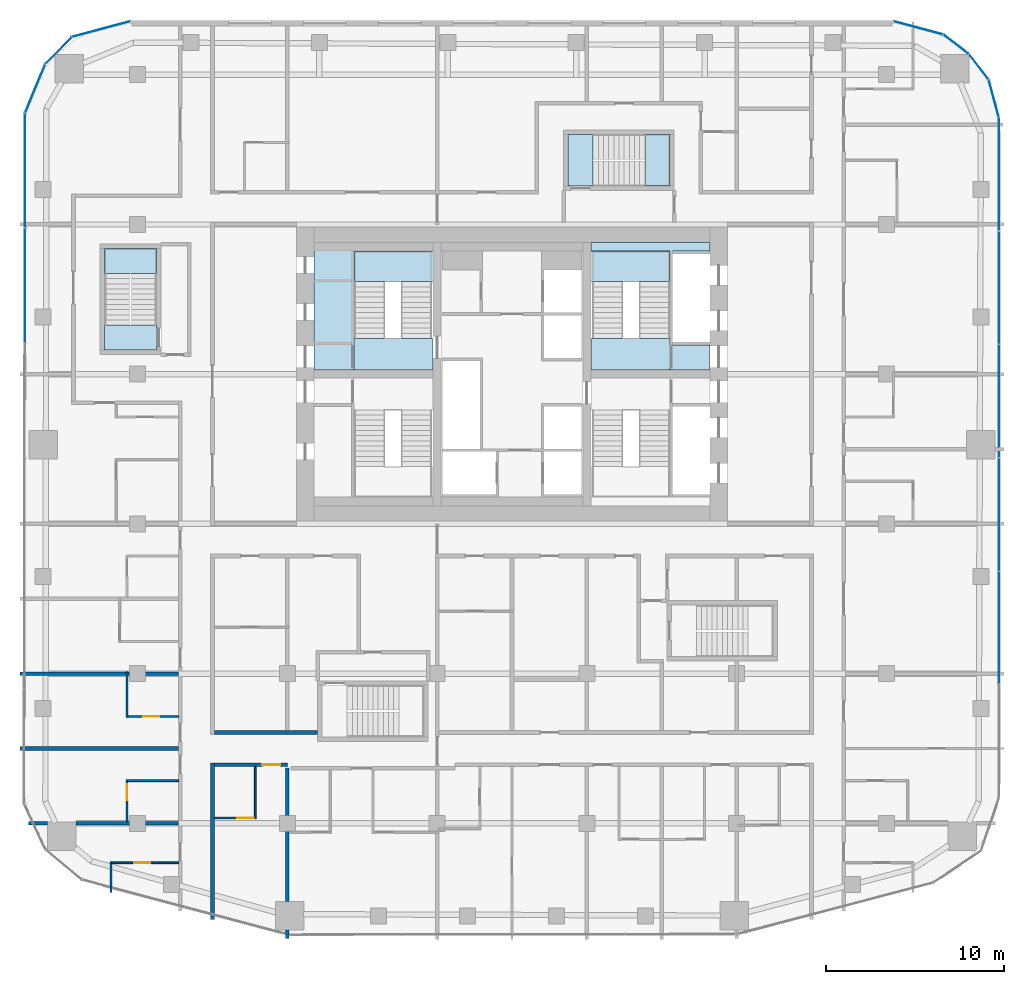
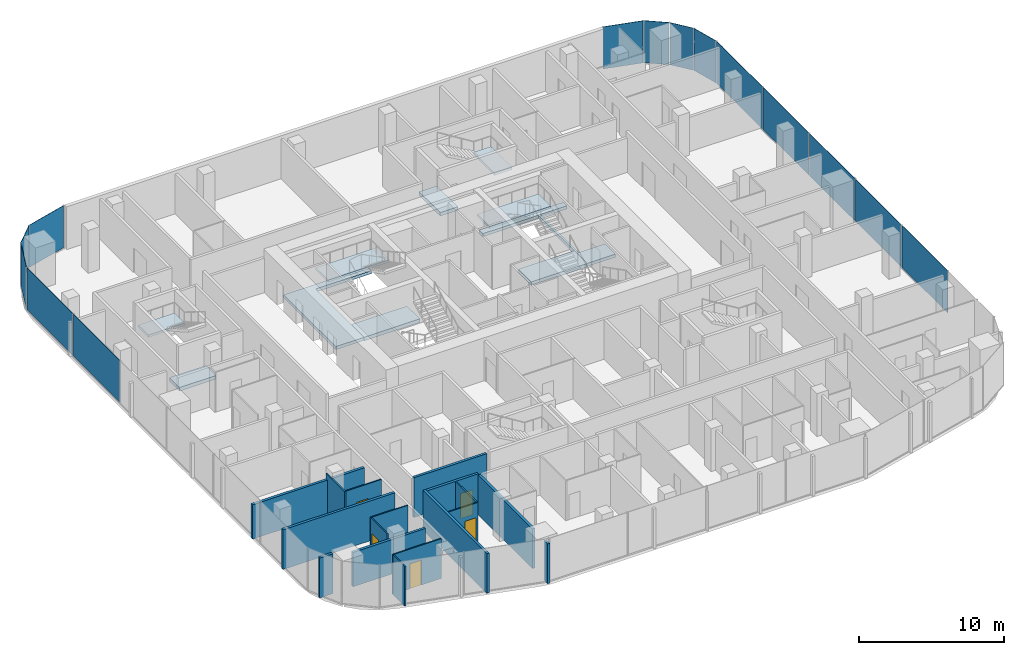
# One storey, part 13 of 23: 17 walls, 14 plates, 10 slabs, 5 doors, 5 openings, 13 elements without a shape of their own.
"""IFC4 building model written with IfcOpenShell, lengths in metres."""

from ifc_helpers import new_model, si_unit, direction, frame, frame_2d, origin, origin_2d, place, context, subcontext, project, spatial, polyline, rectangle, outline, extrude, material, layer, layer_set, type_object, element, fill, aggregate, save


model = new_model("IFC4")

# Units and contexts
model_context = context("Model", 3, precision=1e-05, world=origin(), true_north=direction((0.0, 1.0)))
body_context = subcontext(model_context, "Body", "Model", "MODEL_VIEW")
ifc_project = project(units=[si_unit("LENGTHUNIT", "METRE"), si_unit("AREAUNIT", "SQUARE_METRE"), si_unit("VOLUMEUNIT", "CUBIC_METRE"), si_unit("PLANEANGLEUNIT", "RADIAN"), si_unit("MASSUNIT", "GRAM", prefix="KILO")], contexts=[model_context])

# Site, building, storey
site_placement = place(None, origin())
site = spatial("IfcSite", under=ifc_project, at=site_placement, CompositionType="ELEMENT")
building_placement = place(site_placement, origin())
building = spatial("IfcBuilding", under=site, at=building_placement, Name="Marenta Gate Hotel Tower", CompositionType="ELEMENT")
storey_placement = place(building_placement, frame((0.0, 0.0, 148.10009765625)))
storey = spatial("IfcBuildingStorey", under=building, at=storey_placement, Name="L34", CompositionType="ELEMENT", Elevation=148.10009765625)

# Slabs
ifc_material_1 = material(Name="Concrete C40", Category="concrete")
ifc_layer_1 = layer(ifc_material_1, 0.260009765625)
ifc_layer_set_1 = layer_set([ifc_layer_1], Name="Concrete C40")
slab_type_1 = type_object("IfcSlabType", Name="Core floor slab 260", PredefinedType="FLOOR", material=ifc_layer_set_1)
slab_1_placement = place(storey_placement, frame((0.0, 0.0, -0.260009765625)))
element("IfcSlab", 1, at=slab_1_placement, inside=storey, type_object=slab_type_1, Name="L34-CF-3", PredefinedType="FLOOR", context=body_context, shape_type="SweptSolid", body=[
    extrude(outline(polyline([(8.85009765625, 15.300048828125), (4.425048828125, 15.300048828125), (4.425048828125, 15.800048828125), (11.10009765625, 15.800048828125), (11.10009765625, 15.300048828125), (9.0, 15.300048828125), (9.0, 15.14990234375), (9.0, 12.75), (9.0, 12.60009765625), (9.0, 10.199951171875), (9.0, 10.050048828125), (11.10009765625, 10.050048828125), (11.10009765625, 8.625), (8.85009765625, 8.625), (8.85009765625, 8.699951171875), (8.85009765625, 10.39990234375), (8.85009765625, 15.300048828125)])), origin(), (0.0, 0.0, 1.0), 0.260009765625),
])
slab_2_placement = place(storey_placement, frame((0.0, 0.0, -0.260009765625)))
element("IfcSlab", 2, at=slab_2_placement, inside=storey, type_object=slab_type_1, Name="L34-CF-6", PredefinedType="FLOOR", context=body_context, shape_type="SweptSolid", body=[
    extrude(outline(polyline([(-4.425048828125, 15.300048828125), (-8.85009765625, 15.300048828125), (-8.85009765625, 10.39990234375), (-8.85009765625, 8.699951171875), (-8.85009765625, 8.625), (-11.10009765625, 8.625), (-11.10009765625, 15.800048828125), (-4.425048828125, 15.800048828125), (-4.425048828125, 15.300048828125)])), origin(), (0.0, 0.0, 1.0), 0.260009765625),
])

# Stair, slab
ifc_material_2 = material(Name="Concrete C40", Category="concrete")
stair_type_1 = type_object("IfcStairType", Name="Core exit stair 1700 wide", PredefinedType="HALF_TURN_STAIR", material=ifc_material_2)
stair_1_placement = place(storey_placement, origin())
stair_1 = element("IfcStair", 3, at=stair_1_placement, inside=storey, type_object=stair_type_1, Name="Exit stair 2", PredefinedType="HALF_TURN_STAIR")
ifc_material_3 = material(Name="Concrete C40", Category="concrete")
ifc_layer_2 = layer(ifc_material_3, 0.199951171875)
ifc_layer_set_2 = layer_set([ifc_layer_2], Name="Concrete C40")
slab_type_2 = type_object("IfcSlabType", Name="Core stair landing 200", PredefinedType="LANDING", material=ifc_layer_set_2)
slab_3_placement = place(storey_placement, frame((0.0, 0.0, 1.599853515625)))
slab_3 = element("IfcSlab", 4, at=slab_3_placement, type_object=slab_type_2, Name="SL-200 ST2 landing 1", PredefinedType="LANDING", context=body_context, shape_type="SweptSolid", body=[
    extrude(outline(polyline([(-8.85009765625, 13.590087890625), (-3.97509765625, 13.590087890625), (-3.97509765625, 15.300048828125), (-8.85009765625, 15.300048828125), (-8.85009765625, 13.590087890625)])), origin(), (0.0, 0.0, 1.0), 0.199951171875),
])
aggregate(stair_1, [slab_3])

stair_2_placement = place(storey_placement, origin())
stair_2 = element("IfcStair", 5, at=stair_2_placement, inside=storey, type_object=stair_type_1, Name="Exit stair 4", PredefinedType="HALF_TURN_STAIR")
slab_4_placement = place(storey_placement, frame((0.0, 0.0, 1.599853515625)))
slab_4 = element("IfcSlab", 6, at=slab_4_placement, type_object=slab_type_2, Name="SL-200 ST4 landing 1", PredefinedType="LANDING", context=body_context, shape_type="SweptSolid", body=[
    extrude(outline(polyline([(3.97509765625, 13.590087890625), (8.85009765625, 13.590087890625), (8.85009765625, 15.300048828125), (3.97509765625, 15.300048828125), (3.97509765625, 13.590087890625)])), origin(), (0.0, 0.0, 1.0), 0.199951171875),
])
aggregate(stair_2, [slab_4])

# Curtain wall, plate
ifc_material_4 = material(Name="Tinted insulated glass in bronze anodised frame", Category="glass")
ifc_layer_3 = layer(ifc_material_4, 0.1201171875)
ifc_layer_set_3 = layer_set([ifc_layer_3], Name="Tinted insulated glass in bronze anodised frame")
curtain_wall_type = type_object("IfcCurtainWallType", Name="Tower unitised curtain wall CW1", PredefinedType="NOTDEFINED", material=ifc_layer_set_3)
curtain_wall_1_placement = place(storey_placement, origin())
curtain_wall_1 = element("IfcCurtainWall", 7, at=curtain_wall_1_placement, inside=storey, type_object=curtain_wall_type, Name="CW1 run G00", PredefinedType="NOTDEFINED")
ifc_material_5 = material(Name="Tinted insulated glass", Category="glass")
ifc_layer_4 = layer(ifc_material_5, 0.028076171875)
ifc_layer_set_4 = layer_set([ifc_layer_4], Name="Tinted insulated glass")
plate_type = type_object("IfcPlateType", Name="Glass panel CW1 28 mm tinted insulated unit", PredefinedType="CURTAIN_PANEL", material=ifc_layer_set_4)
plate_1_placement = place(storey_placement, frame((-23.04052734375, 27.759765625, 0.059814453125), z_axis=(0.0, 0.0, 1.0), x_axis=(-0.96593059835, -0.258801234873, 0.0)))
plate_1 = element("IfcPlate", 8, at=plate_1_placement, type_object=plate_type, Name="CW1 panel 1.1", PredefinedType="CURTAIN_PANEL", context=body_context, shape_type="SweptSolid", body=[
    extrude(rectangle(XDim=3.366943359375, YDim=0.028076171875, at=origin_2d()), origin(), (0.0, 0.0, 1.0), 3.5400390625),
])
aggregate(curtain_wall_1, [plate_1])

curtain_wall_2_placement = place(storey_placement, origin())
curtain_wall_2 = element("IfcCurtainWall", 9, at=curtain_wall_2_placement, inside=storey, type_object=curtain_wall_type, Name="CW1 run G01", PredefinedType="NOTDEFINED")
plate_2_placement = place(storey_placement, frame((-25.440673828125, 26.550048828125, 0.059814453125), z_axis=(0.0, 0.0, 1.0), x_axis=(-0.707106781187, -0.707106781187, 0.0)))
plate_2 = element("IfcPlate", 10, at=plate_2_placement, type_object=plate_type, Name="CW1 panel 1.1", PredefinedType="CURTAIN_PANEL", context=body_context, shape_type="SweptSolid", body=[
    extrude(rectangle(XDim=2.069091796875, YDim=0.028076171875, at=origin_2d()), origin(), (0.0, 0.0, 1.0), 3.5400390625),
])
aggregate(curtain_wall_2, [plate_2])

curtain_wall_3_placement = place(storey_placement, origin())
curtain_wall_3 = element("IfcCurtainWall", 11, at=curtain_wall_3_placement, inside=storey, type_object=curtain_wall_type, Name="CW1 run G02", PredefinedType="NOTDEFINED")
plate_3_placement = place(storey_placement, frame((-26.75390625, 24.41455078125, 0.059814453125), z_axis=(0.0, 0.0, 1.0), x_axis=(-0.382671975111, -0.923884278178, 0.0)))
plate_3 = element("IfcPlate", 12, at=plate_3_placement, type_object=plate_type, Name="CW1 panel 1.1", PredefinedType="CURTAIN_PANEL", context=body_context, shape_type="SweptSolid", body=[
    extrude(rectangle(XDim=2.919189453125, YDim=0.028076171875, at=origin_2d()), origin(), (0.0, 0.0, 1.0), 3.5400390625),
])
aggregate(curtain_wall_3, [plate_3])

# Curtain wall, plates
curtain_wall_4_placement = place(storey_placement, origin())
curtain_wall_4 = element("IfcCurtainWall", 13, at=curtain_wall_4_placement, inside=storey, type_object=curtain_wall_type, Name="CW1 run G03", PredefinedType="NOTDEFINED")
plate_4_placement = place(storey_placement, frame((-27.3173828125, 19.8212890625, 0.059814453125), z_axis=(0.0, 0.0, 1.0), x_axis=(-0.001566045546, -0.99999877375, 0.0)))
plate_4 = element("IfcPlate", 14, at=plate_4_placement, type_object=plate_type, Name="CW1 panel 1.1", PredefinedType="CURTAIN_PANEL", context=body_context, shape_type="SweptSolid", body=[
    extrude(rectangle(XDim=6.3701171875, YDim=0.028076171875, at=origin_2d()), origin(), (0.0, 0.0, 1.0), 3.5400390625),
])
plate_5_placement = place(storey_placement, frame((-27.327392578125, 13.376220703125, 0.059814453125), z_axis=(0.0, 0.0, 1.0), x_axis=(-0.001566045546, -0.99999877375, 0.0)))
plate_5 = element("IfcPlate", 15, at=plate_5_placement, type_object=plate_type, Name="CW1 panel 2.1", PredefinedType="CURTAIN_PANEL", context=body_context, shape_type="SweptSolid", body=[
    extrude(rectangle(XDim=6.39990234375, YDim=0.028076171875, at=origin_2d()), origin(), (0.0, 0.0, 1.0), 3.5400390625),
])
aggregate(curtain_wall_4, [plate_4, plate_5])

curtain_wall_5_placement = place(storey_placement, origin())
curtain_wall_5 = element("IfcCurtainWall", 16, at=curtain_wall_5_placement, inside=storey, type_object=curtain_wall_type, Name="CW1 run G11", PredefinedType="NOTDEFINED")
plate_6_placement = place(storey_placement, frame((27.31396484375, -5.828125, 0.059814453125), z_axis=(0.0, 0.0, 1.0), x_axis=(0.0, 1.0, 0.0)))
plate_6 = element("IfcPlate", 17, at=plate_6_placement, type_object=plate_type, Name="CW1 panel 2.1", PredefinedType="CURTAIN_PANEL", context=body_context, shape_type="SweptSolid", body=[
    extrude(rectangle(XDim=6.300048828125, YDim=0.028076171875, at=origin_2d()), origin(), (0.0, 0.0, 1.0), 3.5400390625),
])
plate_7_placement = place(storey_placement, frame((27.31396484375, 0.531982421875, 0.059814453125), z_axis=(0.0, 0.0, 1.0), x_axis=(0.0, 1.0, 0.0)))
plate_7 = element("IfcPlate", 18, at=plate_7_placement, type_object=plate_type, Name="CW1 panel 3.1", PredefinedType="CURTAIN_PANEL", context=body_context, shape_type="SweptSolid", body=[
    extrude(rectangle(XDim=6.300048828125, YDim=0.028076171875, at=origin_2d()), origin(), (0.0, 0.0, 1.0), 3.5400390625),
])
plate_8_placement = place(storey_placement, frame((27.31396484375, 6.891845703125, 0.059814453125), z_axis=(0.0, 0.0, 1.0), x_axis=(0.0, 1.0, 0.0)))
plate_8 = element("IfcPlate", 19, at=plate_8_placement, type_object=plate_type, Name="CW1 panel 4.1", PredefinedType="CURTAIN_PANEL", context=body_context, shape_type="SweptSolid", body=[
    extrude(rectangle(XDim=6.300048828125, YDim=0.028076171875, at=origin_2d()), origin(), (0.0, 0.0, 1.0), 3.5400390625),
])
plate_9_placement = place(storey_placement, frame((27.31396484375, 13.251953125, 0.059814453125), z_axis=(0.0, 0.0, 1.0), x_axis=(0.0, 1.0, 0.0)))
plate_9 = element("IfcPlate", 20, at=plate_9_placement, type_object=plate_type, Name="CW1 panel 5.1", PredefinedType="CURTAIN_PANEL", context=body_context, shape_type="SweptSolid", body=[
    extrude(rectangle(XDim=6.300048828125, YDim=0.028076171875, at=origin_2d()), origin(), (0.0, 0.0, 1.0), 3.5400390625),
])
plate_10_placement = place(storey_placement, frame((27.31396484375, 19.626953125, 0.059814453125), z_axis=(0.0, 0.0, 1.0), x_axis=(0.0, 1.0, 0.0)))
plate_10 = element("IfcPlate", 21, at=plate_10_placement, type_object=plate_type, Name="CW1 panel 6.1", PredefinedType="CURTAIN_PANEL", context=body_context, shape_type="SweptSolid", body=[
    extrude(rectangle(XDim=6.330078125, YDim=0.028076171875, at=origin_2d()), origin(), (0.0, 0.0, 1.0), 3.5400390625),
])
aggregate(curtain_wall_5, [plate_6, plate_7, plate_8, plate_9, plate_10])

# Curtain wall, plate
curtain_wall_6_placement = place(storey_placement, origin())
curtain_wall_6 = element("IfcCurtainWall", 22, at=curtain_wall_6_placement, inside=storey, type_object=curtain_wall_type, Name="CW1 run G12", PredefinedType="NOTDEFINED")
plate_11_placement = place(storey_placement, frame((27.022216796875, 23.880615234375, 0.059814453125), z_axis=(0.0, 0.0, 1.0), x_axis=(-0.258822651658, 0.965924859908, 0.0)))
plate_11 = element("IfcPlate", 23, at=plate_11_placement, type_object=plate_type, Name="CW1 panel 1.1", PredefinedType="CURTAIN_PANEL", context=body_context, shape_type="SweptSolid", body=[
    extrude(rectangle(XDim=2.13427734375, YDim=0.028076171875, at=origin_2d()), origin(), (0.0, 0.0, 1.0), 3.5400390625),
])
aggregate(curtain_wall_6, [plate_11])

curtain_wall_7_placement = place(storey_placement, origin())
curtain_wall_7 = element("IfcCurtainWall", 24, at=curtain_wall_7_placement, inside=storey, type_object=curtain_wall_type, Name="CW1 run G13", PredefinedType="NOTDEFINED")
plate_12_placement = place(storey_placement, frame((26.177490234375, 25.652099609375, 0.059814453125), z_axis=(0.0, 0.0, 1.0), x_axis=(-0.608796116694, 0.793326722289, 0.0)))
plate_12 = element("IfcPlate", 25, at=plate_12_placement, type_object=plate_type, Name="CW1 panel 1.1", PredefinedType="CURTAIN_PANEL", context=body_context, shape_type="SweptSolid", body=[
    extrude(rectangle(XDim=1.747802734375, YDim=0.028076171875, at=origin_2d()), origin(), (0.0, 0.0, 1.0), 3.5400390625),
])
aggregate(curtain_wall_7, [plate_12])

curtain_wall_8_placement = place(storey_placement, origin())
curtain_wall_8 = element("IfcCurtainWall", 26, at=curtain_wall_8_placement, inside=storey, type_object=curtain_wall_type, Name="CW1 run G14", PredefinedType="NOTDEFINED")
plate_13_placement = place(storey_placement, frame((24.904541015625, 26.9140625, 0.059814453125), z_axis=(0.0, 0.0, 1.0), x_axis=(-0.793326722289, 0.608796116694, 0.0)))
plate_13 = element("IfcPlate", 27, at=plate_13_placement, type_object=plate_type, Name="CW1 panel 1.1", PredefinedType="CURTAIN_PANEL", context=body_context, shape_type="SweptSolid", body=[
    extrude(rectangle(XDim=1.747802734375, YDim=0.028076171875, at=origin_2d()), origin(), (0.0, 0.0, 1.0), 3.5400390625),
])
aggregate(curtain_wall_8, [plate_13])

curtain_wall_9_placement = place(storey_placement, origin())
curtain_wall_9 = element("IfcCurtainWall", 28, at=curtain_wall_9_placement, inside=storey, type_object=curtain_wall_type, Name="CW1 run G15", PredefinedType="NOTDEFINED")
plate_14_placement = place(storey_placement, frame((22.783935546875, 27.82861328125, 0.059814453125), z_axis=(0.0, 0.0, 1.0), x_axis=(-0.965929324305, 0.258805989975, 0.0)))
plate_14 = element("IfcPlate", 29, at=plate_14_placement, type_object=plate_type, Name="CW1 panel 1.1", PredefinedType="CURTAIN_PANEL", context=body_context, shape_type="SweptSolid", body=[
    extrude(rectangle(XDim=2.83544921875, YDim=0.028076171875, at=origin_2d()), origin(), (0.0, 0.0, 1.0), 3.5400390625),
])
aggregate(curtain_wall_9, [plate_14])

# Stair, slab
ifc_material_6 = material(Name="Concrete C40", Category="concrete")
stair_type_2 = type_object("IfcStairType", Name="Remote exit stair 1400 wide", PredefinedType="HALF_TURN_STAIR", material=ifc_material_6)
stair_3_placement = place(storey_placement, origin())
stair_3 = element("IfcStair", 30, at=stair_3_placement, inside=storey, type_object=stair_type_2, Name="Exit stair RS-Z1-3", PredefinedType="HALF_TURN_STAIR")
ifc_material_7 = material(Name="Concrete C40", Category="concrete")
ifc_layer_5 = layer(ifc_material_7, 0.199951171875)
ifc_layer_set_5 = layer_set([ifc_layer_5], Name="Concrete C40")
slab_type_3 = type_object("IfcSlabType", Name="Remote stair landing 200", PredefinedType="LANDING", material=ifc_layer_set_5)
slab_5_placement = place(storey_placement, frame((0.0, 0.0, 1.599853515625)))
slab_5 = element("IfcSlab", 31, at=slab_5_placement, type_object=slab_type_3, Name="RL-200 RS-Z1-3 landing 1", PredefinedType="LANDING", context=body_context, shape_type="SweptSolid", body=[
    extrude(outline(polyline([(-22.85009765625, 14.050048828125), (-19.949951171875, 14.050048828125), (-19.949951171875, 15.449951171875), (-22.85009765625, 15.449951171875), (-22.85009765625, 14.050048828125)])), origin(), (0.0, 0.0, 1.0), 0.199951171875),
])
aggregate(stair_3, [slab_5])

stair_4_placement = place(storey_placement, origin())
stair_4 = element("IfcStair", 32, at=stair_4_placement, inside=storey, type_object=stair_type_2, Name="Exit stair RS-Z2-4", PredefinedType="HALF_TURN_STAIR")
slab_6_placement = place(storey_placement, frame((0.0, 0.0, 1.599853515625)))
slab_6 = element("IfcSlab", 33, at=slab_6_placement, type_object=slab_type_3, Name="RL-200 RS-Z2-4 landing 1", PredefinedType="LANDING", context=body_context, shape_type="SweptSolid", body=[
    extrude(outline(polyline([(7.449951171875, 18.949951171875), (8.85009765625, 18.949951171875), (8.85009765625, 21.85009765625), (7.449951171875, 21.85009765625), (7.449951171875, 18.949951171875)])), origin(), (0.0, 0.0, 1.0), 0.199951171875),
])
aggregate(stair_4, [slab_6])

# Slabs
ifc_material_8 = material(Name="Concrete C40", Category="concrete")
ifc_layer_6 = layer(ifc_material_8, 0.300048828125)
ifc_layer_set_6 = layer_set([ifc_layer_6], Name="Concrete C40")
slab_type_4 = type_object("IfcSlabType", Name="Stair floor landing slab 300", PredefinedType="FLOOR", material=ifc_layer_set_6)
slab_7_placement = place(storey_placement, frame((0.0, 0.0, -0.300048828125)))
element("IfcSlab", 34, at=slab_7_placement, inside=storey, type_object=slab_type_4, Name="L34-CL-ST2-1", PredefinedType="FLOOR", context=body_context, shape_type="SweptSolid", body=[
    extrude(outline(polyline([(-4.425048828125, 8.625), (-8.85009765625, 8.625), (-8.85009765625, 8.699951171875), (-8.85009765625, 10.39990234375), (-4.425048828125, 10.39990234375), (-4.425048828125, 8.625)])), origin(), (0.0, 0.0, 1.0), 0.300048828125),
])
slab_8_placement = place(storey_placement, frame((0.0, 0.0, -0.300048828125)))
element("IfcSlab", 35, at=slab_8_placement, inside=storey, type_object=slab_type_4, Name="L34-CL-ST4-1", PredefinedType="FLOOR", context=body_context, shape_type="SweptSolid", body=[
    extrude(outline(polyline([(4.425048828125, 8.625), (4.425048828125, 10.39990234375), (8.85009765625, 10.39990234375), (8.85009765625, 8.699951171875), (8.85009765625, 8.625), (4.425048828125, 8.625)])), origin(), (0.0, 0.0, 1.0), 0.300048828125),
])
slab_9_placement = place(storey_placement, frame((0.0, 0.0, -0.300048828125)))
element("IfcSlab", 36, at=slab_9_placement, inside=storey, type_object=slab_type_4, Name="L34-RS-Z1-3-CL", PredefinedType="FLOOR", context=body_context, shape_type="SweptSolid", body=[
    extrude(outline(polyline([(-19.949951171875, 9.75), (-19.949951171875, 11.14990234375), (-22.85009765625, 11.14990234375), (-22.85009765625, 9.75), (-19.949951171875, 9.75)])), origin(), (0.0, 0.0, 1.0), 0.300048828125),
])
slab_10_placement = place(storey_placement, frame((0.0, 0.0, -0.300048828125)))
element("IfcSlab", 37, at=slab_10_placement, inside=storey, type_object=slab_type_4, Name="L34-RS-Z2-4-CL", PredefinedType="FLOOR", context=body_context, shape_type="SweptSolid", body=[
    extrude(outline(polyline([(4.550048828125, 18.949951171875), (4.550048828125, 21.85009765625), (3.14990234375, 21.85009765625), (3.14990234375, 18.949951171875), (4.550048828125, 18.949951171875)])), origin(), (0.0, 0.0, 1.0), 0.300048828125),
])

# Wall, opening, door
ifc_material_9 = material(Name="Gypsum board on steel stud", Category="steel")
ifc_layer_7 = layer(ifc_material_9, 0.199951171875)
ifc_layer_set_7 = layer_set([ifc_layer_7], Name="Gypsum board on steel stud")
wall_type_1 = type_object("IfcWallType", Name="Room corridor wall 200 EI 60", PredefinedType="PARTITIONING", material=ifc_layer_set_7)
wall_1_placement = place(storey_placement, frame((-16.699951171875, -13.5, 0.0), z_axis=(0.0, 0.0, 1.0), x_axis=(1.0, 0.0, 0.0)))
wall_1 = element("IfcWall", 38, at=wall_1_placement, inside=storey, type_object=wall_type_1, Name="L34-PTN-W025", PredefinedType="PARTITIONING", context=body_context, shape_type="SweptSolid", body=[
    extrude(rectangle(XDim=4.099853515625, YDim=0.199951171875, at=frame_2d((2.0498046875, 0.0))), origin(), (0.0, 0.0, 1.0), 3.33984375),
])
opening_1_placement = place(wall_1_placement, frame((2.699951171875, 0.0, 0.0)))
opening_1 = element("IfcOpeningElement", 39, at=opening_1_placement, cuts=wall_1, Name="Opening G13-29", PredefinedType="OPENING", context=body_context, shape_type="SweptSolid", body=[
    extrude(rectangle(XDim=1.0, YDim=2.10009765625, at=frame_2d((0.5, 1.050048828125))), frame((0.0, 0.10009765625, 0.0), z_axis=(0.0, -1.0, 0.0), x_axis=(1.0, 0.0, 0.0)), (0.0, 0.0, 1.0), 0.199951171875),
])
ifc_material_10 = material(Name="Timber door leaf", Category="wood")
door_type_1 = type_object("IfcDoorType", Name="Guest room door 1000x2100 EI 30", OperationType="NOTDEFINED", PredefinedType="DOOR", material=ifc_material_10)
door_1_placement = place(opening_1_placement, origin())
door_1 = element("IfcDoor", 40, at=door_1_placement, inside=storey, type_object=door_type_1, Name="L34-PD-D029", OperationType="SINGLE_SWING_LEFT", OverallHeight=2.10009765625, OverallWidth=1.0, PredefinedType="DOOR", context=body_context, shape_type="SweptSolid", body=[
    extrude(rectangle(XDim=1.0, YDim=2.10009765625, at=frame_2d((0.5, 1.050048828125))), frame((0.0, 0.02490234375, 0.0), z_axis=(0.0, -1.0, 0.0), x_axis=(1.0, 0.0, 0.0)), (0.0, 0.0, 1.0), 0.050048828125),
])
fill(opening_1, door_1)

# Walls
wall_2_placement = place(storey_placement, frame((-16.699951171875, -11.699951171875, 0.0), z_axis=(0.0, 0.0, 1.0), x_axis=(1.0, 0.0, 0.0)))
element("IfcWall", 41, at=wall_2_placement, inside=storey, type_object=wall_type_1, Name="L34-PTN-W033", PredefinedType="PARTITIONING", context=body_context, shape_type="SweptSolid", body=[
    extrude(rectangle(XDim=5.800048828125, YDim=0.199951171875, at=frame_2d((2.89990234375, 0.0))), origin(), (0.0, 0.0, 1.0), 3.33984375),
])
wall_3_placement = place(storey_placement, frame((-16.800048828125, -22.18603515625, 0.0), z_axis=(0.0, 0.0, 1.0), x_axis=(0.0, 1.0, 0.0)))
element("IfcWall", 42, at=wall_3_placement, inside=storey, type_object=wall_type_1, Name="L34-PTN-W094", PredefinedType="PARTITIONING", context=body_context, shape_type="SweptSolid", body=[
    extrude(rectangle(XDim=8.7861328125, YDim=0.199951171875, at=frame_2d((4.39306640625, 0.0))), origin(), (0.0, 0.0, 1.0), 3.33984375),
])

# Wall, opening, door
ifc_material_11 = material(Name="Gypsum board on steel stud", Category="steel")
ifc_layer_8 = layer(ifc_material_11, 0.10009765625)
ifc_layer_set_8 = layer_set([ifc_layer_8], Name="Gypsum board on steel stud")
wall_type_2 = type_object("IfcWallType", Name="Room partition 100", PredefinedType="PARTITIONING", material=ifc_layer_set_8)
wall_4_placement = place(storey_placement, frame((-22.550048828125, -19.008056640625, 0.0), z_axis=(0.0, 0.0, 1.0), x_axis=(1.0, 0.0, 0.0)))
wall_4 = element("IfcWall", 43, at=wall_4_placement, inside=storey, type_object=wall_type_2, Name="L34-PTN-W007", PredefinedType="PARTITIONING", context=body_context, shape_type="SweptSolid", body=[
    extrude(rectangle(XDim=3.85009765625, YDim=0.10009765625, at=frame_2d((1.925048828125, 0.0))), origin(), (0.0, 0.0, 1.0), 3.33984375),
])
opening_2_placement = place(wall_4_placement, frame((1.35498046875, 0.0, 0.0)))
opening_2 = element("IfcOpeningElement", 44, at=opening_2_placement, cuts=wall_4, Name="Opening G13-44", PredefinedType="OPENING", context=body_context, shape_type="SweptSolid", body=[
    extrude(rectangle(XDim=0.89990234375, YDim=2.10009765625, at=frame_2d((0.449951171875, 1.050048828125))), frame((0.0, 0.050048828125, 0.0), z_axis=(0.0, -1.0, 0.0), x_axis=(1.0, 0.0, 0.0)), (0.0, 0.0, 1.0), 0.10009765625),
])
ifc_material_12 = material(Name="Timber door leaf", Category="wood")
door_type_2 = type_object("IfcDoorType", Name="Guest bathroom door 900x2100", OperationType="NOTDEFINED", PredefinedType="DOOR", material=ifc_material_12)
door_2_placement = place(opening_2_placement, origin())
door_2 = element("IfcDoor", 45, at=door_2_placement, inside=storey, type_object=door_type_2, Name="L34-PD-D044", OperationType="SINGLE_SWING_LEFT", OverallHeight=2.10009765625, OverallWidth=0.89990234375, PredefinedType="DOOR", context=body_context, shape_type="SweptSolid", body=[
    extrude(rectangle(XDim=0.89990234375, YDim=2.10009765625, at=frame_2d((0.449951171875, 1.050048828125))), frame((0.0, 0.02490234375, 0.0), z_axis=(0.0, -1.0, 0.0), x_axis=(1.0, 0.0, 0.0)), (0.0, 0.0, 1.0), 0.050048828125),
])
fill(opening_2, door_2)

wall_5_placement = place(storey_placement, frame((-16.699951171875, -16.5, 0.0), z_axis=(0.0, 0.0, 1.0), x_axis=(1.0, 0.0, 0.0)))
wall_5 = element("IfcWall", 46, at=wall_5_placement, inside=storey, type_object=wall_type_2, Name="L34-PTN-W020", PredefinedType="PARTITIONING", context=body_context, shape_type="SweptSolid", body=[
    extrude(rectangle(XDim=2.349853515625, YDim=0.10009765625, at=frame_2d((1.1748046875, 0.0))), origin(), (0.0, 0.0, 1.0), 3.33984375),
])
opening_3_placement = place(wall_5_placement, frame((1.300048828125, 0.0, 0.0)))
opening_3 = element("IfcOpeningElement", 47, at=opening_3_placement, cuts=wall_5, Name="Opening G13-30", PredefinedType="OPENING", context=body_context, shape_type="SweptSolid", body=[
    extrude(rectangle(XDim=0.89990234375, YDim=2.10009765625, at=frame_2d((0.449951171875, 1.050048828125))), frame((0.0, 0.050048828125, 0.0), z_axis=(0.0, -1.0, 0.0), x_axis=(1.0, 0.0, 0.0)), (0.0, 0.0, 1.0), 0.10009765625),
])
door_3_placement = place(opening_3_placement, origin())
door_3 = element("IfcDoor", 48, at=door_3_placement, inside=storey, type_object=door_type_2, Name="L34-PD-D030", OperationType="SINGLE_SWING_RIGHT", OverallHeight=2.10009765625, OverallWidth=0.89990234375, PredefinedType="DOOR", context=body_context, shape_type="SweptSolid", body=[
    extrude(rectangle(XDim=0.89990234375, YDim=2.10009765625, at=frame_2d((0.449951171875, 1.050048828125))), frame((0.0, 0.02490234375, 0.0), z_axis=(0.0, -1.0, 0.0), x_axis=(1.0, 0.0, 0.0)), (0.0, 0.0, 1.0), 0.050048828125),
])
fill(opening_3, door_3)

# Wall
wall_6_placement = place(storey_placement, frame((-21.64990234375, -14.39990234375, 0.0), z_axis=(0.0, 0.0, 1.0), x_axis=(1.0, 0.0, 0.0)))
element("IfcWall", 49, at=wall_6_placement, inside=storey, type_object=wall_type_2, Name="L34-PTN-W022", PredefinedType="PARTITIONING", context=body_context, shape_type="SweptSolid", body=[
    extrude(rectangle(XDim=2.949951171875, YDim=0.10009765625, at=frame_2d((1.47509765625, 0.0))), origin(), (0.0, 0.0, 1.0), 3.33984375),
])

# Wall, opening, door
wall_7_placement = place(storey_placement, frame((-21.550048828125, -10.800048828125, 0.0), z_axis=(0.0, 0.0, 1.0), x_axis=(1.0, 0.0, 0.0)))
wall_7 = element("IfcWall", 50, at=wall_7_placement, inside=storey, type_object=wall_type_2, Name="L34-PTN-W036", PredefinedType="PARTITIONING", context=body_context, shape_type="SweptSolid", body=[
    extrude(rectangle(XDim=2.85009765625, YDim=0.10009765625, at=frame_2d((1.425048828125, 0.0))), origin(), (0.0, 0.0, 1.0), 3.33984375),
])
opening_4_placement = place(wall_7_placement, frame((0.85009765625, 0.0, 0.0)))
opening_4 = element("IfcOpeningElement", 51, at=opening_4_placement, cuts=wall_7, Name="Opening G13-48", PredefinedType="OPENING", context=body_context, shape_type="SweptSolid", body=[
    extrude(rectangle(XDim=0.89990234375, YDim=2.10009765625, at=frame_2d((0.449951171875, 1.050048828125))), frame((0.0, 0.050048828125, 0.0), z_axis=(0.0, -1.0, 0.0), x_axis=(1.0, 0.0, 0.0)), (0.0, 0.0, 1.0), 0.10009765625),
])
door_4_placement = place(opening_4_placement, origin())
door_4 = element("IfcDoor", 52, at=door_4_placement, inside=storey, type_object=door_type_2, Name="L34-PD-D048", OperationType="SINGLE_SWING_LEFT", OverallHeight=2.10009765625, OverallWidth=0.89990234375, PredefinedType="DOOR", context=body_context, shape_type="SweptSolid", body=[
    extrude(rectangle(XDim=0.89990234375, YDim=2.10009765625, at=frame_2d((0.449951171875, 1.050048828125))), frame((0.0, 0.02490234375, 0.0), z_axis=(0.0, -1.0, 0.0), x_axis=(1.0, 0.0, 0.0)), (0.0, 0.0, 1.0), 0.050048828125),
])
fill(opening_4, door_4)

# Wall
wall_8_placement = place(storey_placement, frame((-14.39990234375, -16.449951171875, 0.0), z_axis=(0.0, 0.0, 1.0), x_axis=(0.0, 1.0, 0.0)))
element("IfcWall", 53, at=wall_8_placement, inside=storey, type_object=wall_type_2, Name="L34-PTN-W091", PredefinedType="PARTITIONING", context=body_context, shape_type="SweptSolid", body=[
    extrude(rectangle(XDim=2.849853515625, YDim=0.10009765625, at=frame_2d((1.4248046875, 0.0))), origin(), (0.0, 0.0, 1.0), 3.33984375),
])

# Wall, opening, door
wall_9_placement = place(storey_placement, frame((-21.60009765625, -16.699951171875, 0.0), z_axis=(0.0, 0.0, 1.0), x_axis=(0.0, 1.0, 0.0)))
wall_9 = element("IfcWall", 54, at=wall_9_placement, inside=storey, type_object=wall_type_2, Name="L34-PTN-W107", PredefinedType="PARTITIONING", context=body_context, shape_type="SweptSolid", body=[
    extrude(rectangle(XDim=2.25, YDim=0.10009765625, at=frame_2d((1.125, 0.0))), origin(), (0.0, 0.0, 1.0), 3.33984375),
])
opening_5_placement = place(wall_9_placement, frame((1.199951171875, 0.0, 0.0)))
opening_5 = element("IfcOpeningElement", 55, at=opening_5_placement, cuts=wall_9, Name="Opening G13-46", PredefinedType="OPENING", context=body_context, shape_type="SweptSolid", body=[
    extrude(rectangle(XDim=0.89990234375, YDim=2.10009765625, at=frame_2d((0.449951171875, 1.050048828125))), frame((0.0, 0.050048828125, 0.0), z_axis=(0.0, -1.0, 0.0), x_axis=(1.0, 0.0, 0.0)), (0.0, 0.0, 1.0), 0.10009765625),
])
door_5_placement = place(opening_5_placement, origin())
door_5 = element("IfcDoor", 56, at=door_5_placement, inside=storey, type_object=door_type_2, Name="L34-PD-D046", OperationType="SINGLE_SWING_LEFT", OverallHeight=2.10009765625, OverallWidth=0.89990234375, PredefinedType="DOOR", context=body_context, shape_type="SweptSolid", body=[
    extrude(rectangle(XDim=0.89990234375, YDim=2.10009765625, at=frame_2d((0.449951171875, 1.050048828125))), frame((0.0, 0.02490234375, 0.0), z_axis=(0.0, -1.0, 0.0), x_axis=(1.0, 0.0, 0.0)), (0.0, 0.0, 1.0), 0.050048828125),
])
fill(opening_5, door_5)

# Walls
wall_10_placement = place(storey_placement, frame((-21.60009765625, -10.85009765625, 0.0), z_axis=(0.0, 0.0, 1.0), x_axis=(0.0, 1.0, 0.0)))
element("IfcWall", 57, at=wall_10_placement, inside=storey, type_object=wall_type_2, Name="L34-PTN-W108", PredefinedType="PARTITIONING", context=body_context, shape_type="SweptSolid", body=[
    extrude(rectangle(XDim=2.550048828125, YDim=0.10009765625, at=frame_2d((1.27490234375, 0.0))), origin(), (0.0, 0.0, 1.0), 3.33984375),
])
wall_11_placement = place(storey_placement, frame((-22.5, -20.674072265625, 0.0), z_axis=(0.0, 0.0, 1.0), x_axis=(0.0, 1.0, 0.0)))
element("IfcWall", 58, at=wall_11_placement, inside=storey, type_object=wall_type_2, Name="L34-PTN-W115", PredefinedType="PARTITIONING", context=body_context, shape_type="SweptSolid", body=[
    extrude(rectangle(XDim=1.615966796875, YDim=0.10009765625, at=frame_2d((0.80810546875, 0.0))), origin(), (0.0, 0.0, 1.0), 3.33984375),
])
ifc_material_13 = material(Name="Gypsum board on steel stud", Category="steel")
ifc_layer_9 = layer(ifc_material_13, 0.199951171875)
ifc_layer_set_9 = layer_set([ifc_layer_9], Name="Gypsum board on steel stud")
wall_type_3 = type_object("IfcWallType", Name="Room party wall 200 EI 60", PredefinedType="PARTITIONING", material=ifc_layer_set_9)
wall_12_placement = place(storey_placement, frame((-27.112060546875, -16.800048828125, 0.0), z_axis=(0.0, 0.0, 1.0), x_axis=(1.0, 0.0, 0.0)))
element("IfcWall", 59, at=wall_12_placement, inside=storey, type_object=wall_type_3, Name="L34-PTN-W018", PredefinedType="PARTITIONING", context=body_context, shape_type="SweptSolid", body=[
    extrude(rectangle(XDim=1.049072265625, YDim=0.199951171875, at=frame_2d((0.5244140625, 0.0))), origin(), (0.0, 0.0, 1.0), 3.33984375),
])
wall_13_placement = place(storey_placement, frame((-24.462890625, -16.800048828125, 0.0), z_axis=(0.0, 0.0, 1.0), x_axis=(1.0, 0.0, 0.0)))
element("IfcWall", 60, at=wall_13_placement, inside=storey, type_object=wall_type_3, Name="L34-PTN-W120", PredefinedType="PARTITIONING", context=body_context, shape_type="SweptSolid", body=[
    extrude(rectangle(XDim=5.762939453125, YDim=0.199951171875, at=frame_2d((2.88134765625, 0.0))), origin(), (0.0, 0.0, 1.0), 2.889892578125),
])
wall_14_placement = place(storey_placement, frame((-27.60009765625, -12.60009765625, 0.0), z_axis=(0.0, 0.0, 1.0), x_axis=(1.0, 0.0, 0.0)))
element("IfcWall", 61, at=wall_14_placement, inside=storey, type_object=wall_type_3, Name="L34-PTN-W031", PredefinedType="PARTITIONING", context=body_context, shape_type="SweptSolid", body=[
    extrude(rectangle(XDim=8.900146484375, YDim=0.199951171875, at=frame_2d((4.4501953125, 0.0))), origin(), (0.0, 0.0, 1.0), 3.33984375),
])
wall_15_placement = place(storey_placement, frame((-27.60009765625, -8.39990234375, 0.0), z_axis=(0.0, 0.0, 1.0), x_axis=(1.0, 0.0, 0.0)))
element("IfcWall", 62, at=wall_15_placement, inside=storey, type_object=wall_type_3, Name="L34-PTN-W044", PredefinedType="PARTITIONING", context=body_context, shape_type="SweptSolid", body=[
    extrude(rectangle(XDim=8.900146484375, YDim=0.199951171875, at=frame_2d((4.4501953125, 0.0))), origin(), (0.0, 0.0, 1.0), 2.889892578125),
])
wall_16_placement = place(storey_placement, frame((-12.60009765625, -23.26611328125, 0.0), z_axis=(0.0, 0.0, 1.0), x_axis=(0.0, 1.0, 0.0)))
element("IfcWall", 63, at=wall_16_placement, inside=storey, type_object=wall_type_3, Name="L34-PTN-W088", PredefinedType="PARTITIONING", context=body_context, shape_type="SweptSolid", body=[
    extrude(rectangle(XDim=0.4912109375, YDim=0.199951171875, at=frame_2d((0.24560546875, 0.0))), origin(), (0.0, 0.0, 1.0), 3.33984375),
])
wall_17_placement = place(storey_placement, frame((-12.60009765625, -21.175048828125, 0.0), z_axis=(0.0, 0.0, 1.0), x_axis=(0.0, 1.0, 0.0)))
element("IfcWall", 64, at=wall_17_placement, inside=storey, type_object=wall_type_3, Name="L34-PTN-W124", PredefinedType="PARTITIONING", context=body_context, shape_type="SweptSolid", body=[
    extrude(rectangle(XDim=7.47509765625, YDim=0.199951171875, at=frame_2d((3.737548828125, 0.0))), origin(), (0.0, 0.0, 1.0), 3.33984375),
])

save(model, "model.ifc")
